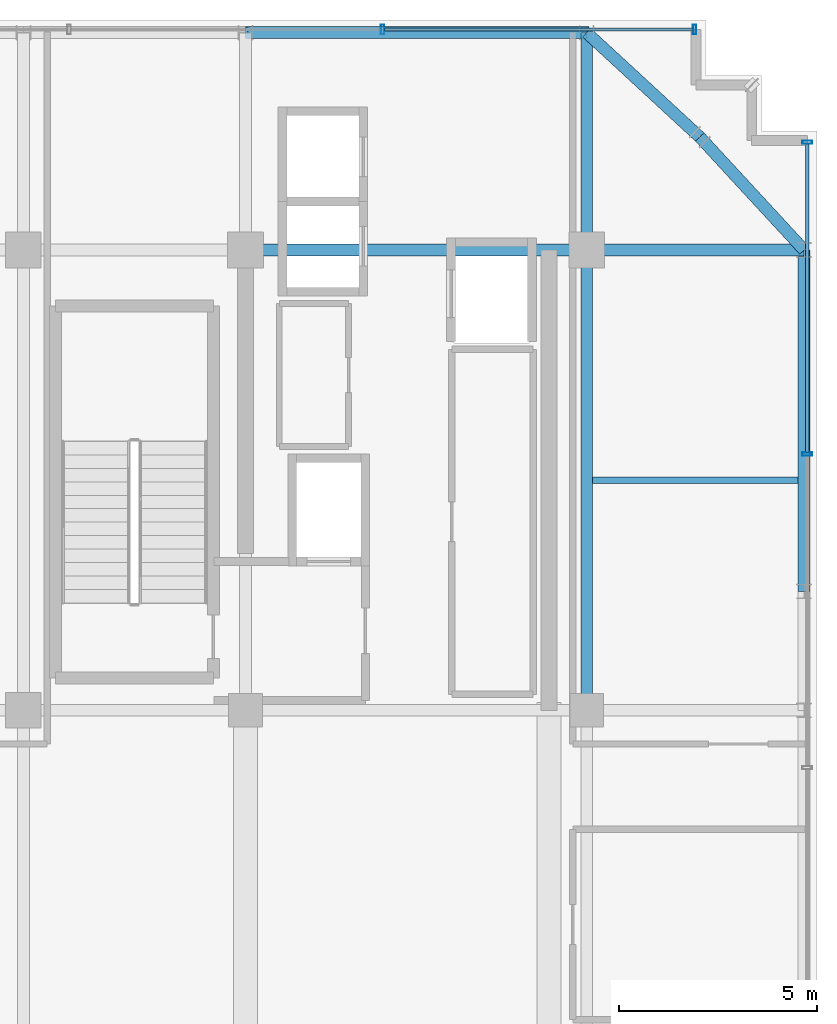
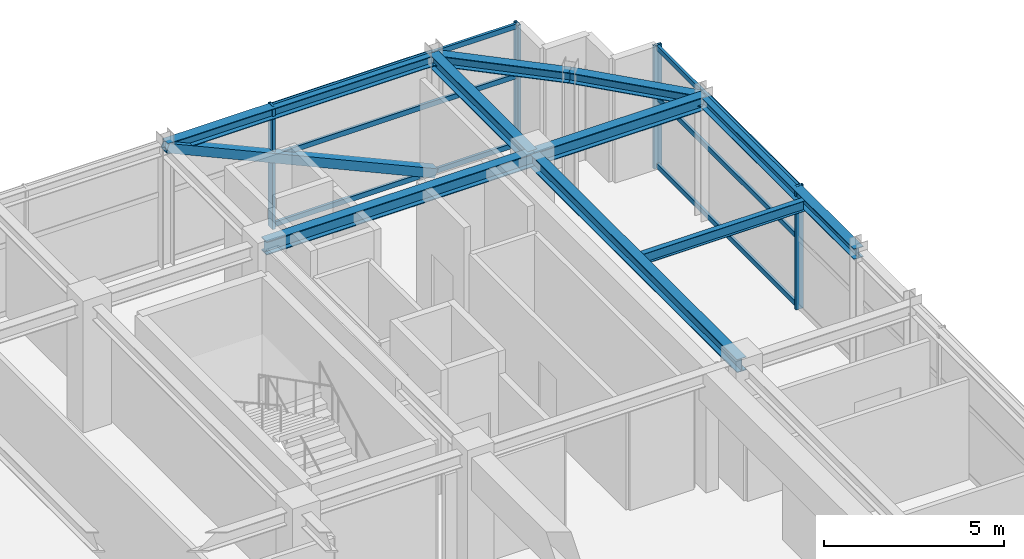
# One storey, part 15 of 26: 11 members, 9 beams, 2 elements without a shape of their own.
"""IFC4 building model written with IfcOpenShell, lengths in metres."""

import ifcopenshell
import ifcopenshell.guid

model = None  # the IFC model being written
_history = None  # IfcOwnerHistory: only IFC2X3 demands one
_inside = {}  # id of a spatial element -> (the spatial element, [elements in it])
_under = {}  # id of a project, library or spatial element -> (it, [spatial elements below it])
_declared = {}  # id of a project -> (the project, [libraries it declares])
_typed = {}  # id of a type object -> (the type object, [elements of that type])
_made_of = {}  # id of a material, layer set ... -> (it, [elements and type objects made of it])


def new_model(schema):
    """Start an empty IFC model of exactly this schema.

    Asked for "IFC4X3", IfcOpenShell would pick the latest addendum, in which some entities
    have other attributes; the version numbers below select the first issue.
    IFC2X3 requires an IfcOwnerHistory on every rooted entity: one is made here for all.
    """
    global model, _history
    if schema == "IFC4X3":
        model = ifcopenshell.file(schema_version=(4, 3, 0, 0))
    else:
        model = ifcopenshell.file(schema=schema)
    _inside.clear()
    _under.clear()
    _declared.clear()
    _typed.clear()
    _made_of.clear()
    _history = None
    if model.schema == "IFC2X3":
        org = make("IfcOrganization", Name="unknown")
        user = make(
            "IfcPersonAndOrganization",
            ThePerson=make("IfcPerson", FamilyName="unknown"),
            TheOrganization=org,
        )
        app = make(
            "IfcApplication",
            ApplicationDeveloper=org,
            Version="unknown",
            ApplicationFullName="unknown",
            ApplicationIdentifier="unknown",
        )
        _history = make(
            "IfcOwnerHistory",
            OwningUser=user,
            OwningApplication=app,
            ChangeAction="ADDED",
            CreationDate=0,
        )
    return model


def make(cls, **values):
    """One entity of the class cls with the attributes given. An attribute that is None is left unset."""
    return model.create_entity(
        cls, **{name: value for name, value in values.items() if value is not None}
    )


def rooted(cls, **values):
    """An entity with a GlobalId (a new one), such as an element, a storey or a relation."""
    return make(cls, GlobalId=ifcopenshell.guid.new(), OwnerHistory=_history, **values)


def si_unit(unit_type, name, prefix=None):
    """IfcSIUnit, for example si_unit("LENGTHUNIT", "METRE", prefix="MILLI")."""
    return make("IfcSIUnit", UnitType=unit_type, Prefix=prefix, Name=name)


def assignment(units):
    """IfcUnitAssignment: the units of a project."""
    return None if units is None else make("IfcUnitAssignment", Units=units)


def point(xyz):
    """IfcCartesianPoint."""
    return None if xyz is None else make("IfcCartesianPoint", Coordinates=xyz)


def direction(xyz):
    """IfcDirection."""
    return None if xyz is None else make("IfcDirection", DirectionRatios=xyz)


def frame(location, z_axis=None, x_axis=None):
    """IfcAxis2Placement3D, a coordinate frame: its origin and axes. An axis left out is left unset."""
    return make(
        "IfcAxis2Placement3D",
        Location=point(location),
        Axis=direction(z_axis),
        RefDirection=direction(x_axis),
    )


def frame_2d(location, x_axis=None):
    """IfcAxis2Placement2D, a coordinate frame in the plane: its origin and x axis."""
    return make(
        "IfcAxis2Placement2D", Location=point(location), RefDirection=direction(x_axis)
    )


def origin():
    """The frame at (0, 0, 0) with its axes left unset."""
    return frame((0.0, 0.0, 0.0))


def origin_2d():
    """The frame at (0, 0) in the plane with its x axis left unset."""
    return frame_2d((0.0, 0.0))


def place(relative_to, where):
    """IfcLocalPlacement: puts the frame where relative to a parent placement (None: the world)."""
    return make(
        "IfcLocalPlacement", PlacementRelTo=relative_to, RelativePlacement=where
    )


def context(
    kind, dimensions, precision=None, world=None, true_north=None, identifier=None
):
    """IfcGeometricRepresentationContext, for example the 3D "Model" context."""
    return make(
        "IfcGeometricRepresentationContext",
        ContextIdentifier=identifier,
        ContextType=kind,
        CoordinateSpaceDimension=dimensions,
        Precision=precision,
        WorldCoordinateSystem=world,
        TrueNorth=true_north,
    )


def subcontext(parent, identifier, kind, view, scale=None):
    """IfcGeometricRepresentationSubContext, for example "Body" below "Model"."""
    return make(
        "IfcGeometricRepresentationSubContext",
        ContextIdentifier=identifier,
        ContextType=kind,
        ParentContext=parent,
        TargetScale=scale,
        TargetView=view,
    )


def project(units=None, contexts=None):
    """IfcProject with its units and contexts."""
    return rooted(
        "IfcProject",
        Name="project",
        RepresentationContexts=contexts,
        UnitsInContext=assignment(units),
    )


def spatial(cls, under=None, at=None, **own):
    """A site, building, storey or space (cls), placed at a placement, below another one or the project."""
    s = rooted(cls, ObjectPlacement=at, **own)
    if under is not None:
        _under.setdefault(under.id(), (under, []))[1].append(s)
    return s


def profile(cls, at=None, kind="AREA", **sizes):
    """A parametric profile (cls). Its sizes go by their IFC names, for example OverallWidth=200.0."""
    return make(cls, ProfileType=kind, Position=at, **sizes)


def hollow_rectangle(**sizes):
    """IfcRectangleHollowProfileDef."""
    return profile("IfcRectangleHollowProfileDef", **sizes)


def i_section(**sizes):
    """IfcIShapeProfileDef."""
    return profile("IfcIShapeProfileDef", **sizes)


def extrude(swept, where, along, depth):
    """IfcExtrudedAreaSolid: the profile swept, set in the frame where, extruded along a direction by depth."""
    return make(
        "IfcExtrudedAreaSolid",
        SweptArea=swept,
        Position=where,
        ExtrudedDirection=direction(along),
        Depth=depth,
    )


def shape(context_of_items, identifier, shape_type, items):
    """IfcShapeRepresentation: the items that make up one representation, for example the "Body"."""
    return make(
        "IfcShapeRepresentation",
        ContextOfItems=context_of_items,
        RepresentationIdentifier=identifier,
        RepresentationType=shape_type,
        Items=items,
    )


def source(mapping_origin, context_of_items, identifier, shape_type, items):
    """IfcRepresentationMap: a shape defined once, which mapped items show again and again."""
    return make(
        "IfcRepresentationMap",
        MappingOrigin=mapping_origin,
        MappedRepresentation=shape(context_of_items, identifier, shape_type, items),
    )


def transform(
    local_origin,
    x_axis=None,
    y_axis=None,
    z_axis=None,
    scale=None,
    scale2=None,
    scale3=None,
    uniform=True,
):
    """IfcCartesianTransformationOperator3D, or its non-uniform kind. x_axis, y_axis, z_axis: its Axis1, 2, 3."""
    if uniform:
        return make(
            "IfcCartesianTransformationOperator3D",
            Axis1=direction(x_axis),
            Axis2=direction(y_axis),
            LocalOrigin=point(local_origin),
            Scale=scale,
            Axis3=direction(z_axis),
        )
    return make(
        "IfcCartesianTransformationOperator3DnonUniform",
        Axis1=direction(x_axis),
        Axis2=direction(y_axis),
        LocalOrigin=point(local_origin),
        Scale=scale,
        Axis3=direction(z_axis),
        Scale2=scale2,
        Scale3=scale3,
    )


def mapped(mapping_source, mapping_target):
    """IfcMappedItem: shows the shape of a source again, moved by a transform."""
    return make(
        "IfcMappedItem", MappingSource=mapping_source, MappingTarget=mapping_target
    )


def material(Name=None, Category=None):
    """IfcMaterial."""
    return make("IfcMaterial", Name=Name, Category=Category)


def material_profile(
    of_material, cross_section, Name=None, Category=None, Priority=None
):
    """IfcMaterialProfile: a cross section and its material."""
    return make(
        "IfcMaterialProfile",
        Name=Name,
        Material=of_material,
        Profile=cross_section,
        Priority=Priority,
        Category=Category,
    )


def profile_set(profiles, Name=None, composite=None):
    """IfcMaterialProfileSet."""
    return make(
        "IfcMaterialProfileSet",
        Name=Name,
        MaterialProfiles=profiles,
        CompositeProfile=composite,
    )


def made_of(thing, what):
    """Note that an element or type object is made of a material, layer set ...; save() writes the relation."""
    if what is not None:
        _made_of.setdefault(what.id(), (what, []))[1].append(thing)
    return thing


def type_object(cls, material=None, **own):
    """A type object (cls), such as IfcWallType, which elements share."""
    return made_of(rooted(cls, **own), material)


def element(
    cls,
    number,
    at=None,
    inside=None,
    cuts=None,
    type_object=None,
    material=None,
    context=None,
    identifier="Body",
    shape_type=None,
    held_by="IfcProductDefinitionShape",
    body=None,
    shapes=None,
    **own,
):
    """One element of the class cls, such as IfcWall. Its Tag is "e" and its number.

    at: its placement. inside: the storey or other place that contains it. cuts: it is an
    opening in that element (IfcRelVoidsElement). A single representation is given by context,
    identifier, shape_type and body (its items); several are given by shapes. held_by: the class
    of the entity that holds the representations. save() writes the other relations.
    """
    e = rooted(cls, Tag="e%d" % number, ObjectPlacement=at, **own)
    if body is not None:
        shapes = [shape(context, identifier, shape_type, body)]
    if shapes is not None:
        e.Representation = make(held_by, Representations=shapes)
    if inside is not None:
        _inside.setdefault(inside.id(), (inside, []))[1].append(e)
    if cuts is not None:
        rooted(
            "IfcRelVoidsElement", RelatingBuildingElement=cuts, RelatedOpeningElement=e
        )
    if type_object is not None:
        _typed.setdefault(type_object.id(), (type_object, []))[1].append(e)
    return made_of(e, material)


def aggregate(whole, parts):
    """IfcRelAggregates: a whole, such as a stair, and the parts it consists of."""
    return rooted("IfcRelAggregates", RelatingObject=whole, RelatedObjects=parts)


def save(model, path):
    """Write the relations noted so far, then the file.

    IfcRelAggregates (storeys below a building ...), IfcRelContainedInSpatialStructure (elements
    in a storey), IfcRelDefinesByType, IfcRelAssociatesMaterial and IfcRelDeclares: one each for
    every whole, place, type object, material and project.
    """
    for whole, parts in _under.values():
        aggregate(whole, parts)
    for where, things in _inside.values():
        rooted(
            "IfcRelContainedInSpatialStructure",
            RelatedElements=things,
            RelatingStructure=where,
        )
    for kind, things in _typed.values():
        rooted("IfcRelDefinesByType", RelatedObjects=things, RelatingType=kind)
    for what, things in _made_of.values():
        rooted("IfcRelAssociatesMaterial", RelatedObjects=things, RelatingMaterial=what)
    for by, libraries in _declared.values():
        rooted("IfcRelDeclares", RelatingContext=by, RelatedDefinitions=libraries)
    model.write(path)


model = new_model("IFC4")

# Units and contexts
model_context = context("Model", 3, precision=1e-05, world=origin(), true_north=direction((0.0, 1.0)))
body_context = subcontext(model_context, "Body", "Model", "MODEL_VIEW")
ifc_project = project(units=[si_unit("LENGTHUNIT", "METRE"), si_unit("AREAUNIT", "SQUARE_METRE"), si_unit("VOLUMEUNIT", "CUBIC_METRE"), si_unit("PLANEANGLEUNIT", "RADIAN"), si_unit("MASSUNIT", "GRAM", prefix="KILO")], contexts=[model_context])

# Site, building, storey
site_placement = place(None, origin())
site = spatial("IfcSite", under=ifc_project, at=site_placement, CompositionType="ELEMENT")
building_placement = place(site_placement, origin())
building = spatial("IfcBuilding", under=site, at=building_placement, Name="Nahalor Promenade Grand Hotel", CompositionType="ELEMENT")
storey_placement = place(building_placement, frame((0.0, 0.0, 343.050048828125)))
storey = spatial("IfcBuildingStorey", under=building, at=storey_placement, Name="L88", CompositionType="ELEMENT", Elevation=343.050048828125)

# Beams
ifc_material_1 = material(Name="Steel S355JR", Category="steel")
ifc_material_profile_1 = material_profile(ifc_material_1, i_section(OverallWidth=0.3, OverallDepth=0.45, WebThickness=0.014, FlangeThickness=0.026, at=origin_2d()), Name="HEB 450")
ifc_profile_set_1 = profile_set([ifc_material_profile_1], Name="Steel S355JR")
beam_type_1 = type_object("IfcBeamType", Name="Beam-Girder-HEB450", PredefinedType="BEAM", material=ifc_profile_set_1)
shared_shape_1 = source(origin(), body_context, "Body", "SweptSolid", [
    extrude(i_section(OverallWidth=0.3, OverallDepth=0.45, WebThickness=0.014, FlangeThickness=0.026, at=origin_2d()), origin(), (0.0, 0.0, 1.0), 8.60009765625),
])
beam_1_placement = place(storey_placement, frame((8.39990234375, 17.0, 3.945068359375), z_axis=(1.0, 0.0, 0.0), x_axis=(0.0, 1.0, 0.0)))
element("IfcBeam", 1, at=beam_1_placement, inside=storey, type_object=beam_type_1, Name="BM-L88-GX-3-5", PredefinedType="BEAM", context=body_context, shape_type="MappedRepresentation", body=[
    mapped(shared_shape_1, transform((0.0, 0.0, 0.0), scale=1.0)),
])
shared_shape_2 = source(origin(), body_context, "Body", "SweptSolid", [
    extrude(i_section(OverallWidth=0.3, OverallDepth=0.45, WebThickness=0.014, FlangeThickness=0.026, at=origin_2d()), origin(), (0.0, 0.0, 1.0), 11.60009765625),
])
beam_2_placement = place(storey_placement, frame((17.0, 5.39990234375, 3.945068359375), z_axis=(0.0, 1.0, 0.0), x_axis=(-1.0, 0.0, 0.0)))
element("IfcBeam", 2, at=beam_2_placement, inside=storey, type_object=beam_type_1, Name="BM-L88-GY-5-3", PredefinedType="BEAM", context=body_context, shape_type="MappedRepresentation", body=[
    mapped(shared_shape_2, transform((0.0, 0.0, 0.0), scale=1.0)),
])
shared_shape_3 = source(origin(), body_context, "Body", "SweptSolid", [
    extrude(i_section(OverallWidth=0.3, OverallDepth=0.45, WebThickness=0.014, FlangeThickness=0.026, at=origin_2d()), origin(), (0.0, 0.0, 1.0), 5.47998046875),
])
for number, where, z_axis, x_axis, name in (
    (3, (17.0, 17.0, 3.945068359375), (1.0, 0.0, 0.0), (0.0, 1.0, 0.0), "BM-L88-GX-3-6"),
    (4, (17.0, 17.0, 3.945068359375), (0.0, 1.0, 0.0), (-1.0, 0.0, 0.0), "BM-L88-GY-5-4"),
):
    element("IfcBeam", number, at=place(storey_placement, frame(where, z_axis=z_axis, x_axis=x_axis)), inside=storey, type_object=beam_type_1, Name=name, PredefinedType="BEAM", context=body_context, shape_type="MappedRepresentation", body=[
        mapped(shared_shape_3, transform((0.0, 0.0, 0.0), scale=1.0)),
    ])
ifc_material_profile_2 = material_profile(ifc_material_1, i_section(OverallWidth=0.3, OverallDepth=0.36, WebThickness=0.0125, FlangeThickness=0.0225, at=origin_2d()), Name="HEB 360")
ifc_profile_set_2 = profile_set([ifc_material_profile_2], Name="Steel S355JR")
beam_type_2 = type_object("IfcBeamType", Name="Beam-Spandrel-HEB360", PredefinedType="SPANDREL", material=ifc_profile_set_2)
shared_shape_4 = source(origin(), body_context, "Body", "SweptSolid", [
    extrude(i_section(OverallWidth=0.3, OverallDepth=0.36, WebThickness=0.0125, FlangeThickness=0.0225, at=origin_2d()), origin(), (0.0, 0.0, 1.0), 8.60009765625),
])
for number, where, z_axis, x_axis, name in (
    (5, (8.39990234375, 22.47998046875, 3.989990234375), (1.0, 0.0, 0.0), (0.0, 1.0, 0.0), "BM-L88-SP-N-4"),
    (6, (22.47998046875, 8.39990234375, 3.989990234375), (0.0, 1.0, 0.0), (-1.0, 0.0, 0.0), "BM-L88-SP-E-4"),
):
    element("IfcBeam", number, at=place(storey_placement, frame(where, z_axis=z_axis, x_axis=x_axis)), inside=storey, type_object=beam_type_2, Name=name, PredefinedType="SPANDREL", context=body_context, shape_type="MappedRepresentation", body=[
        mapped(shared_shape_4, transform((0.0, 0.0, 0.0), scale=1.0)),
    ])
shared_shape_5 = source(origin(), body_context, "Body", "SweptSolid", [
    extrude(i_section(OverallWidth=0.3, OverallDepth=0.36, WebThickness=0.0125, FlangeThickness=0.0225, at=origin_2d()), origin(), (0.0, 0.0, 1.0), 3.878173828125),
])
for number, where, z_axis, x_axis, name in (
    (7, (17.0, 22.47998046875, 3.989990234375), (0.73492893846, -0.678144125843, 0.0), (0.678144125843, 0.73492893846, 0.0), "BM-L88-SPC-NE-1"),
    (8, (19.85009765625, 19.85009765625, 3.989990234375), (0.678144125843, -0.73492893846, 0.0), (0.73492893846, 0.678144125843, 0.0), "BM-L88-SPC-NE-2"),
):
    element("IfcBeam", number, at=place(storey_placement, frame(where, z_axis=z_axis, x_axis=x_axis)), inside=storey, type_object=beam_type_2, Name=name, PredefinedType="SPANDREL", context=body_context, shape_type="MappedRepresentation", body=[
        mapped(shared_shape_5, transform((0.0, 0.0, 0.0), scale=1.0)),
    ])
ifc_material_profile_3 = material_profile(ifc_material_1, i_section(OverallWidth=0.17, OverallDepth=0.36, WebThickness=0.008, FlangeThickness=0.0127, at=origin_2d()), Name="IPE 360")
ifc_profile_set_3 = profile_set([ifc_material_profile_3], Name="Steel S355JR")
beam_type_3 = type_object("IfcBeamType", Name="Beam-Joist-IPE360", PredefinedType="JOIST", material=ifc_profile_set_3)
shared_shape_6 = source(origin(), body_context, "Body", "SweptSolid", [
    extrude(i_section(OverallWidth=0.17, OverallDepth=0.36, WebThickness=0.008, FlangeThickness=0.0127, at=origin_2d()), origin(), (0.0, 0.0, 1.0), 5.18017578125),
])
beam_3_placement = place(storey_placement, frame((17.14990234375, 11.199951171875, 3.989990234375), z_axis=(1.0, 0.0, 0.0), x_axis=(0.0, 1.0, 0.0)))
element("IfcBeam", 9, at=beam_3_placement, inside=storey, type_object=beam_type_3, Name="BM-L88-JSE-1-2", PredefinedType="JOIST", context=body_context, shape_type="MappedRepresentation", body=[
    mapped(shared_shape_6, transform((0.0, 0.0, 0.0), scale=1.0)),
])

# Member
ifc_material_profile_4 = material_profile(ifc_material_1, hollow_rectangle(XDim=0.3, YDim=0.3, WallThickness=0.016, at=origin_2d()), Name="SHS 300x300x16")
ifc_profile_set_4 = profile_set([ifc_material_profile_4], Name="Steel S355JR")
member_type_1 = type_object("IfcMemberType", Name="Mem-CrownBrace-SHS300", PredefinedType="BRACE", material=ifc_profile_set_4)
shared_shape_7 = source(origin(), body_context, "Body", "SweptSolid", [
    extrude(hollow_rectangle(XDim=0.3, YDim=0.3, WallThickness=0.016, at=origin_2d()), origin(), (0.0, 0.0, 1.0), 9.4306640625),
])
member_1_placement = place(storey_placement, frame((17.0, 22.47998046875, 0.14990234375), z_axis=(-0.911918598846, 0.0, 0.410371135778), x_axis=(0.0, -1.0, 0.0)))
element("IfcMember", 10, at=member_1_placement, inside=storey, type_object=member_type_1, Name="EXO-L88-N-1", PredefinedType="BRACE", context=body_context, shape_type="MappedRepresentation", body=[
    mapped(shared_shape_7, transform((0.0, 0.0, 0.0), scale=1.0)),
])

# Curtain wall, members
ifc_material_2 = material(Name="Anodised Bronze Aluminium EN AW-6063 T6", Category="aluminium")
curtain_wall_type = type_object("IfcCurtainWallType", Name="CW5 Sky-Lobby & Observation Panoramic Curtain Wall", PredefinedType="USERDEFINED", material=ifc_material_2)
curtain_wall_1_placement = place(storey_placement, origin())
curtain_wall_1 = element("IfcCurtainWall", 11, at=curtain_wall_1_placement, inside=storey, type_object=curtain_wall_type, Name="L88 Curtain Wall CW-L88-N-1", ObjectType="UNITISED_CURTAIN_WALL", PredefinedType="USERDEFINED")
ifc_material_profile_5 = material_profile(ifc_material_2, hollow_rectangle(XDim=0.085, YDim=0.25, WallThickness=0.006, at=origin_2d()), Name="CWM 85x250x6")
ifc_profile_set_5 = profile_set([ifc_material_profile_5], Name="Anodised Bronze Aluminium EN AW-6063 T6")
member_type_2 = type_object("IfcMemberType", Name="CWM5 Panoramic Deep Mullion 85x250", PredefinedType="MULLION", material=ifc_profile_set_5)
shared_shape_8 = source(origin(), body_context, "Body", "SweptSolid", [
    extrude(hollow_rectangle(XDim=0.085, YDim=0.25, WallThickness=0.006, at=origin_2d()), origin(), (0.0, 0.0, 1.0), 4.169921875),
])
member_2_placement = place(storey_placement, frame((11.85595703125, 22.56005859375, 0.0), z_axis=(0.0, 0.0, 1.0), x_axis=(1.0, 0.0, 0.0)))
member_2 = element("IfcMember", 12, at=member_2_placement, type_object=member_type_2, Name="CW-L88-N-1 Mullion 4", PredefinedType="MULLION", context=body_context, shape_type="MappedRepresentation", body=[
    mapped(shared_shape_8, transform((0.0, 0.0, 0.0), scale=1.0)),
])
member_3_placement = place(storey_placement, frame((19.717529296875, 22.56005859375, 0.0), z_axis=(0.0, 0.0, 1.0), x_axis=(1.0, 0.0, 0.0)))
member_3 = element("IfcMember", 13, at=member_3_placement, type_object=member_type_2, Name="CW-L88-N-1 Mullion 5", PredefinedType="MULLION", context=body_context, shape_type="MappedRepresentation", body=[
    mapped(shared_shape_8, transform((0.0, 0.0, 0.0), scale=1.0)),
])

curtain_wall_2_placement = place(storey_placement, origin())
curtain_wall_2 = element("IfcCurtainWall", 14, at=curtain_wall_2_placement, inside=storey, type_object=curtain_wall_type, Name="L88 Curtain Wall CW-L88-E-1", ObjectType="UNITISED_CURTAIN_WALL", PredefinedType="USERDEFINED")
member_4_placement = place(storey_placement, frame((22.56005859375, 11.85595703125, 0.0), z_axis=(0.0, 0.0, 1.0), x_axis=(0.0, 1.0, 0.0)))
member_4 = element("IfcMember", 15, at=member_4_placement, type_object=member_type_2, Name="CW-L88-E-1 Mullion 4", PredefinedType="MULLION", context=body_context, shape_type="MappedRepresentation", body=[
    mapped(shared_shape_8, transform((0.0, 0.0, 0.0), scale=1.0)),
])
member_5_placement = place(storey_placement, frame((22.56005859375, 19.717529296875, 0.0), z_axis=(0.0, 0.0, 1.0), x_axis=(0.0, 1.0, 0.0)))
member_5 = element("IfcMember", 16, at=member_5_placement, type_object=member_type_2, Name="CW-L88-E-1 Mullion 5", PredefinedType="MULLION", context=body_context, shape_type="MappedRepresentation", body=[
    mapped(shared_shape_8, transform((0.0, 0.0, 0.0), scale=1.0)),
])

# Member
ifc_material_profile_6 = material_profile(ifc_material_2, hollow_rectangle(XDim=0.085, YDim=0.17, WallThickness=0.005, at=origin_2d()), Name="CWT 85x170x5")
ifc_profile_set_6 = profile_set([ifc_material_profile_6], Name="Anodised Bronze Aluminium EN AW-6063 T6")
member_type_3 = type_object("IfcMemberType", Name="CWT5 Panoramic Transom 85x170", PredefinedType="USERDEFINED", material=ifc_profile_set_6)
shared_shape_9 = source(origin(), body_context, "Body", "SweptSolid", [
    extrude(hollow_rectangle(XDim=0.085, YDim=0.17, WallThickness=0.005, at=origin_2d()), origin(), (0.0, 0.0, 1.0), 7.776611328125),
])
member_6_placement = place(storey_placement, frame((11.8984375, 22.56005859375, 0.0849609375), z_axis=(1.0, 0.0, 0.0), x_axis=(0.0, 1.0, 0.0)))
member_6 = element("IfcMember", 17, at=member_6_placement, type_object=member_type_3, Name="CW-L88-N-1 Transom 4-0", ObjectType="TRANSOM", PredefinedType="USERDEFINED", context=body_context, shape_type="MappedRepresentation", body=[
    mapped(shared_shape_9, transform((0.0, 0.0, 0.0), scale=1.0)),
])

member_7_placement = place(storey_placement, frame((11.8984375, 22.56005859375, 2.39990234375), z_axis=(1.0, 0.0, 0.0), x_axis=(0.0, 1.0, 0.0)))
member_7 = element("IfcMember", 18, at=member_7_placement, type_object=member_type_3, Name="CW-L88-N-1 Transom 4-1", ObjectType="TRANSOM", PredefinedType="USERDEFINED", context=body_context, shape_type="MappedRepresentation", body=[
    mapped(shared_shape_9, transform((0.0, 0.0, 0.0), scale=1.0)),
])

member_8_placement = place(storey_placement, frame((11.8984375, 22.56005859375, 4.0849609375), z_axis=(1.0, 0.0, 0.0), x_axis=(0.0, 1.0, 0.0)))
member_8 = element("IfcMember", 19, at=member_8_placement, type_object=member_type_3, Name="CW-L88-N-1 Transom 4-2", ObjectType="TRANSOM", PredefinedType="USERDEFINED", context=body_context, shape_type="MappedRepresentation", body=[
    mapped(shared_shape_9, transform((0.0, 0.0, 0.0), scale=1.0)),
])

aggregate(curtain_wall_1, [member_2, member_3, member_6, member_7, member_8])

member_9_placement = place(storey_placement, frame((22.56005859375, 11.8984375, 0.0849609375), z_axis=(0.0, 1.0, 0.0), x_axis=(-1.0, 0.0, 0.0)))
member_9 = element("IfcMember", 20, at=member_9_placement, type_object=member_type_3, Name="CW-L88-E-1 Transom 4-0", ObjectType="TRANSOM", PredefinedType="USERDEFINED", context=body_context, shape_type="MappedRepresentation", body=[
    mapped(shared_shape_9, transform((0.0, 0.0, 0.0), scale=1.0)),
])

member_10_placement = place(storey_placement, frame((22.56005859375, 11.8984375, 2.39990234375), z_axis=(0.0, 1.0, 0.0), x_axis=(-1.0, 0.0, 0.0)))
member_10 = element("IfcMember", 21, at=member_10_placement, type_object=member_type_3, Name="CW-L88-E-1 Transom 4-1", ObjectType="TRANSOM", PredefinedType="USERDEFINED", context=body_context, shape_type="MappedRepresentation", body=[
    mapped(shared_shape_9, transform((0.0, 0.0, 0.0), scale=1.0)),
])

member_11_placement = place(storey_placement, frame((22.56005859375, 11.8984375, 4.0849609375), z_axis=(0.0, 1.0, 0.0), x_axis=(-1.0, 0.0, 0.0)))
member_11 = element("IfcMember", 22, at=member_11_placement, type_object=member_type_3, Name="CW-L88-E-1 Transom 4-2", ObjectType="TRANSOM", PredefinedType="USERDEFINED", context=body_context, shape_type="MappedRepresentation", body=[
    mapped(shared_shape_9, transform((0.0, 0.0, 0.0), scale=1.0)),
])

aggregate(curtain_wall_2, [member_4, member_5, member_9, member_10, member_11])

save(model, "model.ifc")
